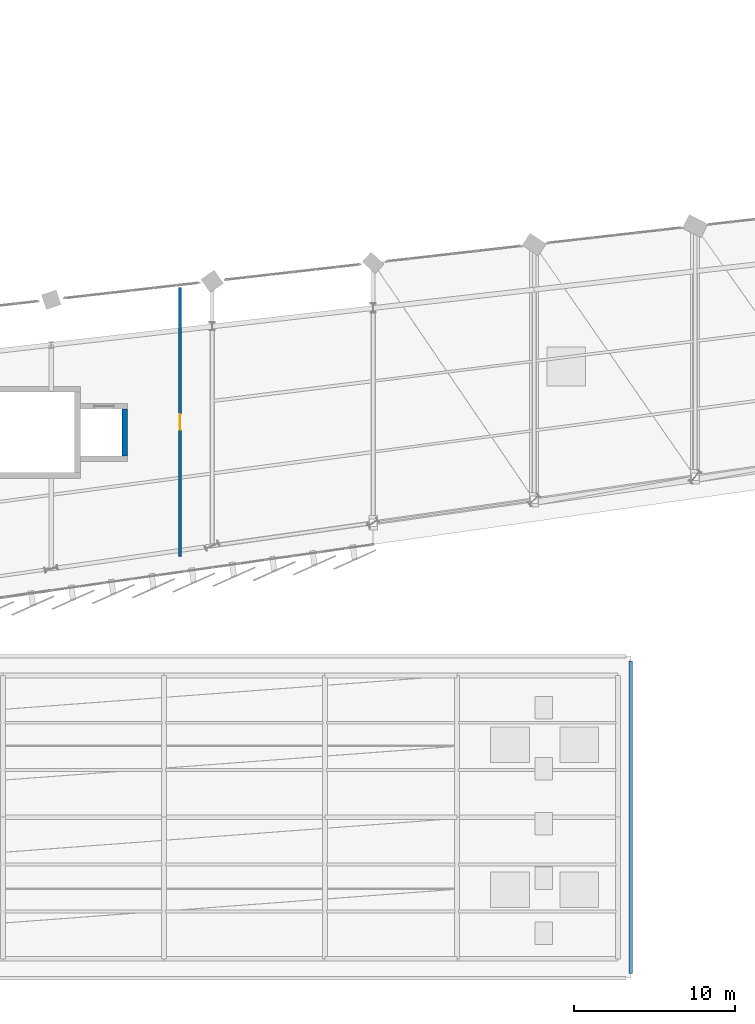
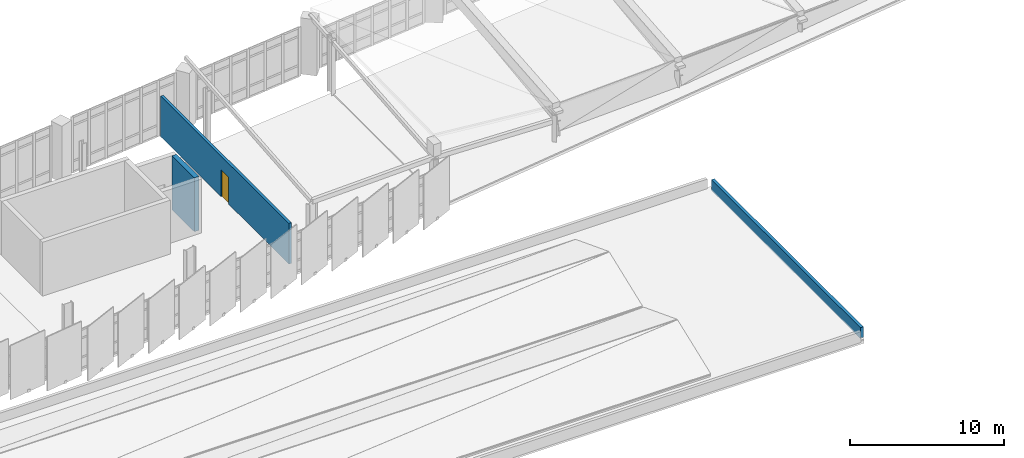
# One storey, part 62 of 67: 3 walls, 1 door, 1 opening.
"""IFC4 building model written with IfcOpenShell, lengths in metres."""

import ifcopenshell
import ifcopenshell.guid

model = None  # the IFC model being written
_history = None  # IfcOwnerHistory: only IFC2X3 demands one
_inside = {}  # id of a spatial element -> (the spatial element, [elements in it])
_under = {}  # id of a project, library or spatial element -> (it, [spatial elements below it])
_declared = {}  # id of a project -> (the project, [libraries it declares])
_typed = {}  # id of a type object -> (the type object, [elements of that type])
_made_of = {}  # id of a material, layer set ... -> (it, [elements and type objects made of it])


def new_model(schema):
    """Start an empty IFC model of exactly this schema.

    Asked for "IFC4X3", IfcOpenShell would pick the latest addendum, in which some entities
    have other attributes; the version numbers below select the first issue.
    IFC2X3 requires an IfcOwnerHistory on every rooted entity: one is made here for all.
    """
    global model, _history
    if schema == "IFC4X3":
        model = ifcopenshell.file(schema_version=(4, 3, 0, 0))
    else:
        model = ifcopenshell.file(schema=schema)
    _inside.clear()
    _under.clear()
    _declared.clear()
    _typed.clear()
    _made_of.clear()
    _history = None
    if model.schema == "IFC2X3":
        org = make("IfcOrganization", Name="unknown")
        user = make(
            "IfcPersonAndOrganization",
            ThePerson=make("IfcPerson", FamilyName="unknown"),
            TheOrganization=org,
        )
        app = make(
            "IfcApplication",
            ApplicationDeveloper=org,
            Version="unknown",
            ApplicationFullName="unknown",
            ApplicationIdentifier="unknown",
        )
        _history = make(
            "IfcOwnerHistory",
            OwningUser=user,
            OwningApplication=app,
            ChangeAction="ADDED",
            CreationDate=0,
        )
    return model


def make(cls, **values):
    """One entity of the class cls with the attributes given. An attribute that is None is left unset."""
    return model.create_entity(
        cls, **{name: value for name, value in values.items() if value is not None}
    )


def rooted(cls, **values):
    """An entity with a GlobalId (a new one), such as an element, a storey or a relation."""
    return make(cls, GlobalId=ifcopenshell.guid.new(), OwnerHistory=_history, **values)


def si_unit(unit_type, name, prefix=None):
    """IfcSIUnit, for example si_unit("LENGTHUNIT", "METRE", prefix="MILLI")."""
    return make("IfcSIUnit", UnitType=unit_type, Prefix=prefix, Name=name)


def assignment(units):
    """IfcUnitAssignment: the units of a project."""
    return None if units is None else make("IfcUnitAssignment", Units=units)


def point(xyz):
    """IfcCartesianPoint."""
    return None if xyz is None else make("IfcCartesianPoint", Coordinates=xyz)


def direction(xyz):
    """IfcDirection."""
    return None if xyz is None else make("IfcDirection", DirectionRatios=xyz)


def frame(location, z_axis=None, x_axis=None):
    """IfcAxis2Placement3D, a coordinate frame: its origin and axes. An axis left out is left unset."""
    return make(
        "IfcAxis2Placement3D",
        Location=point(location),
        Axis=direction(z_axis),
        RefDirection=direction(x_axis),
    )


def frame_2d(location, x_axis=None):
    """IfcAxis2Placement2D, a coordinate frame in the plane: its origin and x axis."""
    return make(
        "IfcAxis2Placement2D", Location=point(location), RefDirection=direction(x_axis)
    )


def origin():
    """The frame at (0, 0, 0) with its axes left unset."""
    return frame((0.0, 0.0, 0.0))


def place(relative_to, where):
    """IfcLocalPlacement: puts the frame where relative to a parent placement (None: the world)."""
    return make(
        "IfcLocalPlacement", PlacementRelTo=relative_to, RelativePlacement=where
    )


def context(
    kind, dimensions, precision=None, world=None, true_north=None, identifier=None
):
    """IfcGeometricRepresentationContext, for example the 3D "Model" context."""
    return make(
        "IfcGeometricRepresentationContext",
        ContextIdentifier=identifier,
        ContextType=kind,
        CoordinateSpaceDimension=dimensions,
        Precision=precision,
        WorldCoordinateSystem=world,
        TrueNorth=true_north,
    )


def subcontext(parent, identifier, kind, view, scale=None):
    """IfcGeometricRepresentationSubContext, for example "Body" below "Model"."""
    return make(
        "IfcGeometricRepresentationSubContext",
        ContextIdentifier=identifier,
        ContextType=kind,
        ParentContext=parent,
        TargetScale=scale,
        TargetView=view,
    )


def project(units=None, contexts=None):
    """IfcProject with its units and contexts."""
    return rooted(
        "IfcProject",
        Name="project",
        RepresentationContexts=contexts,
        UnitsInContext=assignment(units),
    )


def spatial(cls, under=None, at=None, **own):
    """A site, building, storey or space (cls), placed at a placement, below another one or the project."""
    s = rooted(cls, ObjectPlacement=at, **own)
    if under is not None:
        _under.setdefault(under.id(), (under, []))[1].append(s)
    return s


def profile(cls, at=None, kind="AREA", **sizes):
    """A parametric profile (cls). Its sizes go by their IFC names, for example OverallWidth=200.0."""
    return make(cls, ProfileType=kind, Position=at, **sizes)


def rectangle(**sizes):
    """IfcRectangleProfileDef."""
    return profile("IfcRectangleProfileDef", **sizes)


def extrude(swept, where, along, depth):
    """IfcExtrudedAreaSolid: the profile swept, set in the frame where, extruded along a direction by depth."""
    return make(
        "IfcExtrudedAreaSolid",
        SweptArea=swept,
        Position=where,
        ExtrudedDirection=direction(along),
        Depth=depth,
    )


def shape(context_of_items, identifier, shape_type, items):
    """IfcShapeRepresentation: the items that make up one representation, for example the "Body"."""
    return make(
        "IfcShapeRepresentation",
        ContextOfItems=context_of_items,
        RepresentationIdentifier=identifier,
        RepresentationType=shape_type,
        Items=items,
    )


def material(Name=None, Category=None):
    """IfcMaterial."""
    return make("IfcMaterial", Name=Name, Category=Category)


def layer(
    of_material, thickness, ventilated=None, Name=None, Category=None, Priority=None
):
    """IfcMaterialLayer: one layer of a wall or slab, of a material (None: an air gap)."""
    return make(
        "IfcMaterialLayer",
        Material=of_material,
        LayerThickness=thickness,
        IsVentilated=ventilated,
        Name=Name,
        Category=Category,
        Priority=Priority,
    )


def layer_set(layers, Name=None):
    """IfcMaterialLayerSet."""
    return make("IfcMaterialLayerSet", MaterialLayers=layers, LayerSetName=Name)


def made_of(thing, what):
    """Note that an element or type object is made of a material, layer set ...; save() writes the relation."""
    if what is not None:
        _made_of.setdefault(what.id(), (what, []))[1].append(thing)
    return thing


def type_object(cls, material=None, **own):
    """A type object (cls), such as IfcWallType, which elements share."""
    return made_of(rooted(cls, **own), material)


def element(
    cls,
    number,
    at=None,
    inside=None,
    cuts=None,
    type_object=None,
    material=None,
    context=None,
    identifier="Body",
    shape_type=None,
    held_by="IfcProductDefinitionShape",
    body=None,
    shapes=None,
    **own,
):
    """One element of the class cls, such as IfcWall. Its Tag is "e" and its number.

    at: its placement. inside: the storey or other place that contains it. cuts: it is an
    opening in that element (IfcRelVoidsElement). A single representation is given by context,
    identifier, shape_type and body (its items); several are given by shapes. held_by: the class
    of the entity that holds the representations. save() writes the other relations.
    """
    e = rooted(cls, Tag="e%d" % number, ObjectPlacement=at, **own)
    if body is not None:
        shapes = [shape(context, identifier, shape_type, body)]
    if shapes is not None:
        e.Representation = make(held_by, Representations=shapes)
    if inside is not None:
        _inside.setdefault(inside.id(), (inside, []))[1].append(e)
    if cuts is not None:
        rooted(
            "IfcRelVoidsElement", RelatingBuildingElement=cuts, RelatedOpeningElement=e
        )
    if type_object is not None:
        _typed.setdefault(type_object.id(), (type_object, []))[1].append(e)
    return made_of(e, material)


def fill(opening, filler):
    """IfcRelFillsElement: the door or window that sits in an opening."""
    return rooted(
        "IfcRelFillsElement",
        RelatingOpeningElement=opening,
        RelatedBuildingElement=filler,
    )


def aggregate(whole, parts):
    """IfcRelAggregates: a whole, such as a stair, and the parts it consists of."""
    return rooted("IfcRelAggregates", RelatingObject=whole, RelatedObjects=parts)


def save(model, path):
    """Write the relations noted so far, then the file.

    IfcRelAggregates (storeys below a building ...), IfcRelContainedInSpatialStructure (elements
    in a storey), IfcRelDefinesByType, IfcRelAssociatesMaterial and IfcRelDeclares: one each for
    every whole, place, type object, material and project.
    """
    for whole, parts in _under.values():
        aggregate(whole, parts)
    for where, things in _inside.values():
        rooted(
            "IfcRelContainedInSpatialStructure",
            RelatedElements=things,
            RelatingStructure=where,
        )
    for kind, things in _typed.values():
        rooted("IfcRelDefinesByType", RelatedObjects=things, RelatingType=kind)
    for what, things in _made_of.values():
        rooted("IfcRelAssociatesMaterial", RelatedObjects=things, RelatingMaterial=what)
    for by, libraries in _declared.values():
        rooted("IfcRelDeclares", RelatingContext=by, RelatedDefinitions=libraries)
    model.write(path)


model = new_model("IFC4")

# Units and contexts
model_context = context("Model", 3, precision=1e-05, world=origin(), true_north=direction((0.0, 1.0)))
body_context = subcontext(model_context, "Body", "Model", "MODEL_VIEW")
ifc_project = project(units=[si_unit("LENGTHUNIT", "METRE"), si_unit("AREAUNIT", "SQUARE_METRE"), si_unit("VOLUMEUNIT", "CUBIC_METRE"), si_unit("PLANEANGLEUNIT", "RADIAN"), si_unit("MASSUNIT", "GRAM", prefix="KILO")], contexts=[model_context])

# Site, building, storey
site_placement = place(None, origin())
site = spatial("IfcSite", under=ifc_project, at=site_placement, CompositionType="ELEMENT")
building_placement = place(site_placement, origin())
building = spatial("IfcBuilding", under=site, at=building_placement, Name="Sohan Crest Arena", CompositionType="ELEMENT")
storey_placement = place(building_placement, frame((0.0, 0.0, 22.5)))
storey = spatial("IfcBuildingStorey", under=building, at=storey_placement, Name="L05", CompositionType="ELEMENT", Elevation=22.5)

# Wall, opening, door
ifc_material_1 = material(Name="Fire-rated masonry blockwork compartment wall", Category="masonry")
ifc_layer_1 = layer(ifc_material_1, 0.199951171875, Name="Fire-rated masonry blockwork compartment wall")
ifc_layer_set_1 = layer_set([ifc_layer_1], Name="Fire-rated masonry blockwork compartment wall")
wall_type_1 = type_object("IfcWallType", Name="WAL-FW01", PredefinedType="PARTITIONING", material=ifc_layer_set_1)
wall_1_placement = place(storey_placement, frame((116.0, 32.199951171875, 0.0), z_axis=(0.0, 0.0, 1.0), x_axis=(0.0, 1.0, 0.0)))
wall_1 = element("IfcWall", 1, at=wall_1_placement, inside=storey, type_object=wall_type_1, Name="Interior partition wall PW-0949", PredefinedType="PARTITIONING", context=body_context, shape_type="SweptSolid", body=[
    extrude(rectangle(XDim=16.699951171875, YDim=0.199951171875, at=frame_2d((8.35009765625, 0.0))), origin(), (0.0, 0.0, 1.0), 3.219970703125),
])
opening_placement = place(wall_1_placement, frame((7.860107421875, 0.0, 0.0)))
opening = element("IfcOpeningElement", 2, at=opening_placement, cuts=wall_1, Name="Opening PLT-0295", PredefinedType="OPENING", context=body_context, shape_type="SweptSolid", body=[
    extrude(rectangle(XDim=0.97998046875, YDim=2.14990234375, at=frame_2d((0.489990234375, 1.074951171875))), frame((0.0, 0.10986328125, 0.0), z_axis=(0.0, -1.0, 0.0), x_axis=(1.0, 0.0, 0.0)), (0.0, 0.0, 1.0), 0.219970703125),
])
ifc_material_2 = material(Name="Fire-rated plant and store room door", Category="wood")
door_type = type_object("IfcDoorType", Name="DR-FD06", OperationType="NOTDEFINED", PredefinedType="DOOR", material=ifc_material_2)
door_placement = place(opening_placement, origin())
door = element("IfcDoor", 3, at=door_placement, inside=storey, type_object=door_type, Name="High-level smoke exhaust plant door PLT-0295", OperationType="SINGLE_SWING_LEFT", OverallHeight=2.14990234375, OverallWidth=0.97998046875, PredefinedType="DOOR", context=body_context, shape_type="SweptSolid", body=[
    extrude(rectangle(XDim=0.97998046875, YDim=2.14990234375, at=frame_2d((0.489990234375, 1.074951171875))), frame((0.0, 0.02490234375, 0.0), z_axis=(0.0, -1.0, 0.0), x_axis=(1.0, 0.0, 0.0)), (0.0, 0.0, 1.0), 0.050048828125),
])
fill(opening, door)

# Walls
ifc_material_3 = material(Name="Margalla stone coping parapet wall", Category="masonry")
ifc_layer_2 = layer(ifc_material_3, 0.22998046875, Name="Margalla stone coping parapet wall")
ifc_layer_set_2 = layer_set([ifc_layer_2], Name="Margalla stone coping parapet wall")
wall_type_2 = type_object("IfcWallType", Name="WAL-PP02", PredefinedType="PARAPET", material=ifc_layer_set_2)
wall_2_placement = place(storey_placement, frame((144.0, 6.300048828125, 0.0), z_axis=(0.0, 0.0, 1.0), x_axis=(0.0, 1.0, 0.0)))
element("IfcWall", 4, at=wall_2_placement, inside=storey, type_object=wall_type_2, Name="Stone coping roof parapet PP-15", PredefinedType="PARAPET", context=body_context, shape_type="SweptSolid", body=[
    extrude(rectangle(XDim=19.39990234375, YDim=0.22998046875, at=frame_2d((9.699951171875, 0.0))), origin(), (0.0, 0.0, 1.0), 0.85009765625),
])
ifc_material_4 = material(Name="Concrete C40/50", Category="concrete")
ifc_layer_3 = layer(ifc_material_4, 0.35009765625, Name="Concrete C40/50")
ifc_layer_set_3 = layer_set([ifc_layer_3], Name="Concrete C40/50")
wall_type_3 = type_object("IfcWallType", Name="WAL-SW02", PredefinedType="SHEAR", material=ifc_layer_set_3)
wall_3_placement = place(storey_placement, frame((112.574951171875, 38.449951171875, 0.0), z_axis=(0.0, 0.0, 1.0), x_axis=(0.0, 1.0, 0.0)))
element("IfcWall", 5, at=wall_3_placement, inside=storey, type_object=wall_type_3, Name="Core shear wall SW-0282", PredefinedType="SHEAR", context=body_context, shape_type="SweptSolid", body=[
    extrude(rectangle(XDim=2.900146484375, YDim=0.35009765625, at=frame_2d((1.4501953125, 0.0))), origin(), (0.0, 0.0, 1.0), 4.280029296875),
])

save(model, "model.ifc")
